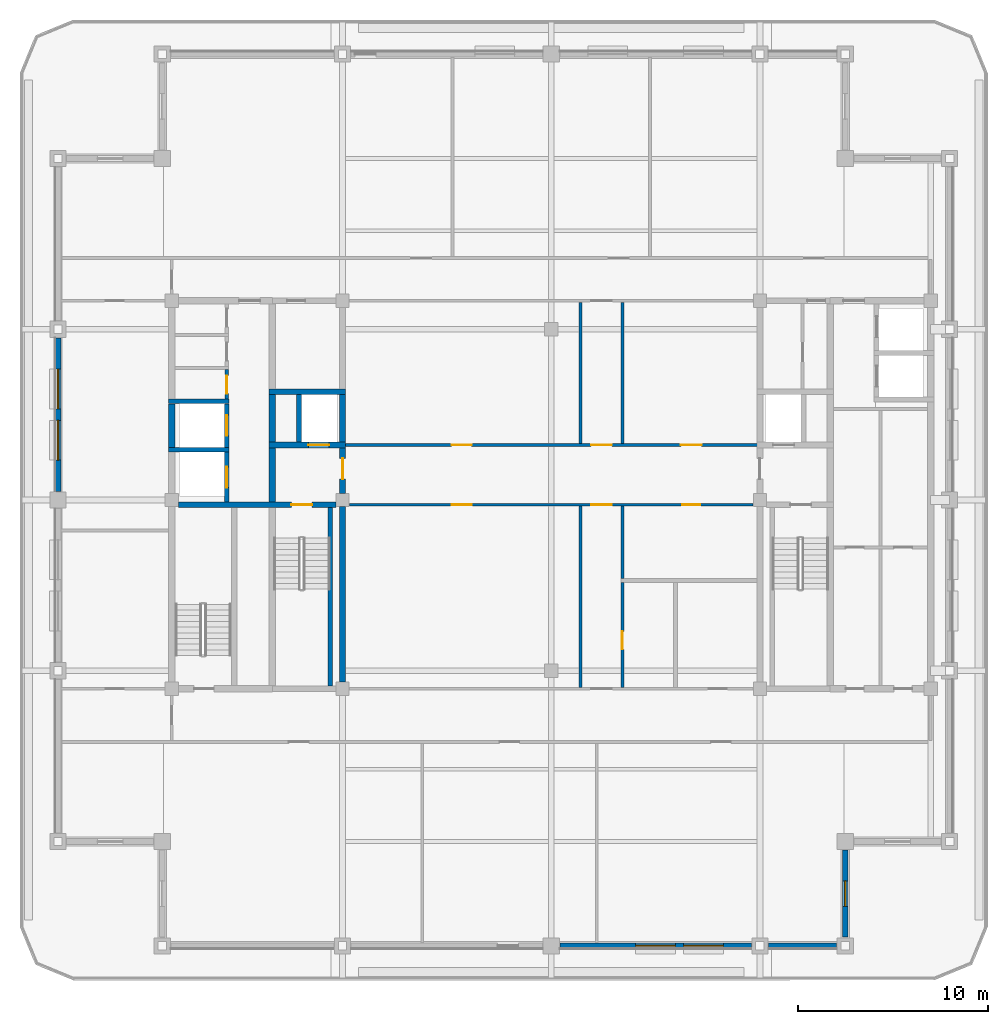
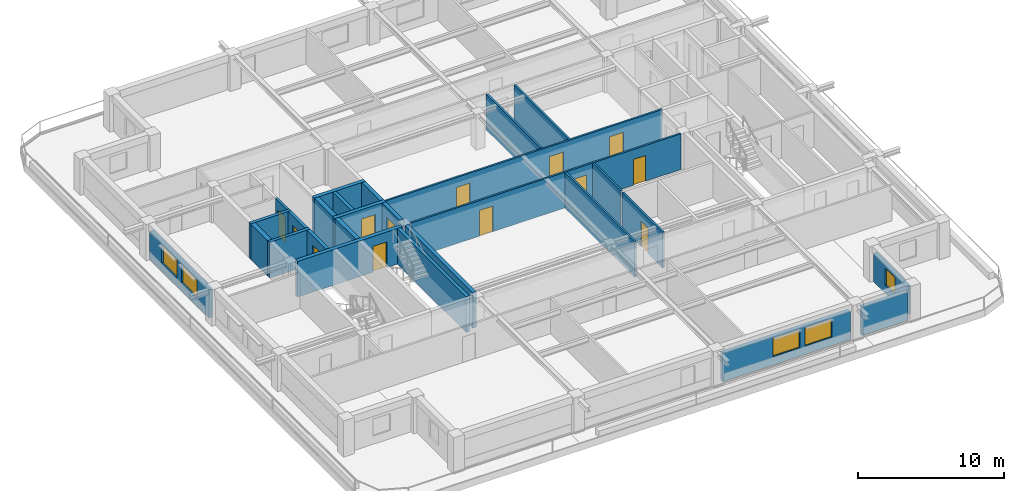
# One storey, part 3 of 11: 27 walls, 13 doors, 5 windows, 18 openings.
"""IFC4 building model written with IfcOpenShell, lengths in metres."""

from ifc_helpers import new_model, si_unit, direction, frame, frame_2d, origin, place, context, subcontext, project, spatial, rectangle, extrude, material, layer, layer_set, type_object, element, fill, save


model = new_model("IFC4")

# Units and contexts
model_context = context("Model", 3, precision=1e-05, world=origin(), true_north=direction((0.0, 1.0)))
body_context = subcontext(model_context, "Body", "Model", "MODEL_VIEW")
ifc_project = project(units=[si_unit("LENGTHUNIT", "METRE"), si_unit("AREAUNIT", "SQUARE_METRE"), si_unit("VOLUMEUNIT", "CUBIC_METRE"), si_unit("PLANEANGLEUNIT", "RADIAN"), si_unit("MASSUNIT", "GRAM", prefix="KILO")], contexts=[model_context])

# Site, building, storey
site_placement = place(None, origin())
site = spatial("IfcSite", under=ifc_project, at=site_placement, CompositionType="ELEMENT")
building_placement = place(site_placement, origin())
building = spatial("IfcBuilding", under=site, at=building_placement, Name="Zulmaris Gate Convention Tower", CompositionType="ELEMENT")
storey_placement = place(building_placement, frame((0.0, 0.0, 257.659912109375)))
storey = spatial("IfcBuildingStorey", under=building, at=storey_placement, Name="L68", CompositionType="ELEMENT", Elevation=257.659912109375)

# Walls
ifc_material_1 = material(Name="Concrete C50/60", Category="concrete")
ifc_layer_1 = layer(ifc_material_1, 0.25, Name="Concrete C50/60")
ifc_layer_set_1 = layer_set([ifc_layer_1], Name="Concrete C50/60")
wall_type_1 = type_object("IfcWallType", Name="CORE-250", PredefinedType="SOLIDWALL", material=ifc_layer_set_1)
for number, where, z_axis, x_axis, name in (
    (1, (-20.175048828125, 2.64990234375, 0.0), (0.0, 0.0, 1.0), (1.0, 0.0, 0.0), "WL-L68-007"),
    (2, (-20.175048828125, 5.199951171875, 0.0), (0.0, 0.0, 1.0), (1.0, 0.0, 0.0), "WL-L68-010"),
):
    element("IfcWall", number, at=place(storey_placement, frame(where, z_axis=z_axis, x_axis=x_axis)), inside=storey, type_object=wall_type_1, Name=name, PredefinedType="SOLIDWALL", context=body_context, shape_type="SweptSolid", body=[
        extrude(rectangle(XDim=3.199951171875, YDim=0.25, at=frame_2d((1.60009765625, 0.0))), origin(), (0.0, 0.0, 1.0), 2.97998046875),
    ])

# Wall, opening, door
wall_1_placement = place(storey_placement, frame((-17.10009765625, -0.097900390625, 0.0), z_axis=(0.0, 0.0, 1.0), x_axis=(0.0, 1.0, 0.0)))
wall_1 = element("IfcWall", 3, at=wall_1_placement, inside=storey, type_object=wall_type_1, Name="WL-L68-037", PredefinedType="SOLIDWALL", context=body_context, shape_type="SweptSolid", body=[
    extrude(rectangle(XDim=2.620849609375, YDim=0.25, at=frame_2d((1.310546875, 0.0))), origin(), (0.0, 0.0, 1.0), 2.97998046875),
])
opening_1_placement = place(wall_1_placement, frame((0.748046875, 0.0, 0.0)))
opening_1 = element("IfcOpeningElement", 4, at=opening_1_placement, cuts=wall_1, Name="Opening D-06", PredefinedType="OPENING", context=body_context, shape_type="SweptSolid", body=[
    extrude(rectangle(XDim=1.10009765625, YDim=2.199951171875, at=frame_2d((0.550048828125, 1.10009765625))), frame((0.0, 0.135009765625, 0.0), z_axis=(0.0, -1.0, 0.0), x_axis=(1.0, 0.0, 0.0)), (0.0, 0.0, 1.0), 0.27001953125),
])
ifc_material_2 = material(Name="Brushed Stainless Steel", Category="steel")
door_type_1 = type_object("IfcDoorType", Name="LD-1100", OperationType="NOTDEFINED", PredefinedType="DOOR", material=ifc_material_2)
door_1_placement = place(opening_1_placement, origin())
door_1 = element("IfcDoor", 5, at=door_1_placement, inside=storey, type_object=door_type_1, Name="L68 Lift Landing Door HP-03 11", OperationType="SLIDING_TO_LEFT", OverallHeight=2.199951171875, OverallWidth=1.10009765625, PredefinedType="DOOR", context=body_context, shape_type="SweptSolid", body=[
    extrude(rectangle(XDim=1.10009765625, YDim=2.199951171875, at=frame_2d((0.550048828125, 1.10009765625))), frame((0.0, 0.02490234375, 0.0), z_axis=(0.0, -1.0, 0.0), x_axis=(1.0, 0.0, 0.0)), (0.0, 0.0, 1.0), 0.050048828125),
])
fill(opening_1, door_1)

wall_2_placement = place(storey_placement, frame((-17.10009765625, 2.777099609375, 0.0), z_axis=(0.0, 0.0, 1.0), x_axis=(0.0, 1.0, 0.0)))
wall_2 = element("IfcWall", 6, at=wall_2_placement, inside=storey, type_object=wall_type_1, Name="WL-L68-038", PredefinedType="SOLIDWALL", context=body_context, shape_type="SweptSolid", body=[
    extrude(rectangle(XDim=2.2958984375, YDim=0.25, at=frame_2d((1.14794921875, 0.0))), origin(), (0.0, 0.0, 1.0), 2.97998046875),
])
opening_2_placement = place(wall_2_placement, frame((0.597900390625, 0.0, 0.0)))
opening_2 = element("IfcOpeningElement", 7, at=opening_2_placement, cuts=wall_2, Name="Opening D-06", PredefinedType="OPENING", context=body_context, shape_type="SweptSolid", body=[
    extrude(rectangle(XDim=1.10009765625, YDim=2.199951171875, at=frame_2d((0.550048828125, 1.10009765625))), frame((0.0, 0.135009765625, 0.0), z_axis=(0.0, -1.0, 0.0), x_axis=(1.0, 0.0, 0.0)), (0.0, 0.0, 1.0), 0.27001953125),
])
door_2_placement = place(opening_2_placement, origin())
door_2 = element("IfcDoor", 8, at=door_2_placement, inside=storey, type_object=door_type_1, Name="L68 Lift Landing Door HP-04 12", OperationType="SLIDING_TO_LEFT", OverallHeight=2.199951171875, OverallWidth=1.10009765625, PredefinedType="DOOR", context=body_context, shape_type="SweptSolid", body=[
    extrude(rectangle(XDim=1.10009765625, YDim=2.199951171875, at=frame_2d((0.550048828125, 1.10009765625))), frame((0.0, 0.02490234375, 0.0), z_axis=(0.0, -1.0, 0.0), x_axis=(1.0, 0.0, 0.0)), (0.0, 0.0, 1.0), 0.050048828125),
])
fill(opening_2, door_2)

# Walls
wall_3_placement = place(storey_placement, frame((-13.300048828125, 3.052001953125, 0.0), z_axis=(0.0, 0.0, 1.0), x_axis=(0.0, 1.0, 0.0)))
element("IfcWall", 9, at=wall_3_placement, inside=storey, type_object=wall_type_1, Name="WL-L68-044", PredefinedType="SOLIDWALL", context=body_context, shape_type="SweptSolid", body=[
    extrude(rectangle(XDim=2.49609375, YDim=0.25, at=frame_2d((1.248046875, 0.0))), origin(), (0.0, 0.0, 1.0), 2.97998046875),
])
wall_4_placement = place(storey_placement, frame((-11.64990234375, -9.798095703125, 0.0), z_axis=(0.0, 0.0, 1.0), x_axis=(0.0, 1.0, 0.0)))
element("IfcWall", 10, at=wall_4_placement, inside=storey, type_object=wall_type_1, Name="WL-L68-045", PredefinedType="SOLIDWALL", context=body_context, shape_type="SweptSolid", body=[
    extrude(rectangle(XDim=9.39599609375, YDim=0.25, at=frame_2d((4.697998046875, 0.0))), origin(), (0.0, 0.0, 1.0), 2.97998046875),
])

# Wall, opening, door
ifc_layer_2 = layer(ifc_material_1, 0.300048828125, Name="Concrete C50/60")
ifc_layer_set_2 = layer_set([ifc_layer_2], Name="Concrete C50/60")
wall_type_2 = type_object("IfcWallType", Name="CORE-300", PredefinedType="SHEAR", material=ifc_layer_set_2)
wall_5_placement = place(storey_placement, frame((-19.64599609375, -0.25, 0.0), z_axis=(0.0, 0.0, 1.0), x_axis=(1.0, 0.0, 0.0)))
wall_5 = element("IfcWall", 11, at=wall_5_placement, inside=storey, type_object=wall_type_2, Name="WL-L68-005", PredefinedType="SHEAR", context=body_context, shape_type="SweptSolid", body=[
    extrude(rectangle(XDim=8.2919921875, YDim=0.300048828125, at=frame_2d((4.14599609375, 0.0))), origin(), (0.0, 0.0, 1.0), 2.97998046875),
])
opening_3_placement = place(wall_5_placement, frame((5.946044921875, 0.0, 0.0)))
opening_3 = element("IfcOpeningElement", 12, at=opening_3_placement, cuts=wall_5, Name="Opening D-08", PredefinedType="OPENING", context=body_context, shape_type="SweptSolid", body=[
    extrude(rectangle(XDim=1.10009765625, YDim=2.14990234375, at=frame_2d((0.550048828125, 1.074951171875))), frame((0.0, 0.16015625, 0.0), z_axis=(0.0, -1.0, 0.0), x_axis=(1.0, 0.0, 0.0)), (0.0, 0.0, 1.0), 0.320068359375),
])
ifc_material_3 = material(Name="Fire-Rated Steel", Category="steel")
door_type_2 = type_object("IfcDoorType", Name="DR-1100-FD", OperationType="NOTDEFINED", PredefinedType="DOOR", material=ifc_material_3)
door_3_placement = place(opening_3_placement, origin())
door_3 = element("IfcDoor", 13, at=door_3_placement, inside=storey, type_object=door_type_2, Name="L68 Exit Stair ST-1 Door 01", OperationType="SINGLE_SWING_LEFT", OverallHeight=2.14990234375, OverallWidth=1.10009765625, PredefinedType="DOOR", context=body_context, shape_type="SweptSolid", body=[
    extrude(rectangle(XDim=1.10009765625, YDim=2.14990234375, at=frame_2d((0.550048828125, 1.074951171875))), frame((0.0, 0.02490234375, 0.0), z_axis=(0.0, -1.0, 0.0), x_axis=(1.0, 0.0, 0.0)), (0.0, 0.0, 1.0), 0.050048828125),
])
fill(opening_3, door_3)

wall_6_placement = place(storey_placement, frame((-14.875, 2.89990234375, 0.0), z_axis=(0.0, 0.0, 1.0), x_axis=(1.0, 0.0, 0.0)))
wall_6 = element("IfcWall", 14, at=wall_6_placement, inside=storey, type_object=wall_type_2, Name="WL-L68-008", PredefinedType="SHEAR", context=body_context, shape_type="SweptSolid", body=[
    extrude(rectangle(XDim=4.02490234375, YDim=0.300048828125, at=frame_2d((2.012451171875, 0.0))), origin(), (0.0, 0.0, 1.0), 2.97998046875),
])
opening_4_placement = place(wall_6_placement, frame((2.074951171875, 0.0, 0.0)))
opening_4 = element("IfcOpeningElement", 15, at=opening_4_placement, cuts=wall_6, Name="Opening D-06", PredefinedType="OPENING", context=body_context, shape_type="SweptSolid", body=[
    extrude(rectangle(XDim=1.10009765625, YDim=2.199951171875, at=frame_2d((0.550048828125, 1.10009765625))), frame((0.0, 0.16015625, 0.0), z_axis=(0.0, -1.0, 0.0), x_axis=(1.0, 0.0, 0.0)), (0.0, 0.0, 1.0), 0.320068359375),
])
door_4_placement = place(opening_4_placement, origin())
door_4 = element("IfcDoor", 16, at=door_4_placement, inside=storey, type_object=door_type_1, Name="L68 Lift Landing Door LF-01 03", OperationType="SLIDING_TO_LEFT", OverallHeight=2.199951171875, OverallWidth=1.10009765625, PredefinedType="DOOR", context=body_context, shape_type="SweptSolid", body=[
    extrude(rectangle(XDim=1.10009765625, YDim=2.199951171875, at=frame_2d((0.550048828125, 1.10009765625))), frame((0.0, 0.02490234375, 0.0), z_axis=(0.0, -1.0, 0.0), x_axis=(1.0, 0.0, 0.0)), (0.0, 0.0, 1.0), 0.050048828125),
])
fill(opening_4, door_4)

# Walls
wall_7_placement = place(storey_placement, frame((-14.875, 5.699951171875, 0.0), z_axis=(0.0, 0.0, 1.0), x_axis=(1.0, 0.0, 0.0)))
element("IfcWall", 17, at=wall_7_placement, inside=storey, type_object=wall_type_2, Name="WL-L68-012", PredefinedType="SHEAR", context=body_context, shape_type="SweptSolid", body=[
    extrude(rectangle(XDim=4.02490234375, YDim=0.300048828125, at=frame_2d((2.012451171875, 0.0))), origin(), (0.0, 0.0, 1.0), 2.97998046875),
])
wall_8_placement = place(storey_placement, frame((-11.0, -9.595947265625, 0.0), z_axis=(0.0, 0.0, 1.0), x_axis=(0.0, 1.0, 0.0)))
element("IfcWall", 18, at=wall_8_placement, inside=storey, type_object=wall_type_2, Name="WL-L68-046", PredefinedType="SHEAR", context=body_context, shape_type="SweptSolid", body=[
    extrude(rectangle(XDim=9.241943359375, YDim=0.300048828125, at=frame_2d((4.62109375, 0.0))), origin(), (0.0, 0.0, 1.0), 2.97998046875),
])

# Wall, opening, door
wall_9_placement = place(storey_placement, frame((-11.0, 0.35400390625, 0.0), z_axis=(0.0, 0.0, 1.0), x_axis=(0.0, 1.0, 0.0)))
wall_9 = element("IfcWall", 19, at=wall_9_placement, inside=storey, type_object=wall_type_2, Name="WL-L68-047", PredefinedType="SHEAR", context=body_context, shape_type="SweptSolid", body=[
    extrude(rectangle(XDim=2.39404296875, YDim=0.300048828125, at=frame_2d((1.197021484375, 0.0))), origin(), (0.0, 0.0, 1.0), 2.97998046875),
])
opening_5_placement = place(wall_9_placement, frame((0.74609375, 0.0, 0.0)))
opening_5 = element("IfcOpeningElement", 20, at=opening_5_placement, cuts=wall_9, Name="Opening D-08", PredefinedType="OPENING", context=body_context, shape_type="SweptSolid", body=[
    extrude(rectangle(XDim=1.10009765625, YDim=2.14990234375, at=frame_2d((0.550048828125, 1.074951171875))), frame((0.0, 0.16015625, 0.0), z_axis=(0.0, -1.0, 0.0), x_axis=(1.0, 0.0, 0.0)), (0.0, 0.0, 1.0), 0.320068359375),
])
door_5_placement = place(opening_5_placement, origin())
door_5 = element("IfcDoor", 21, at=door_5_placement, inside=storey, type_object=door_type_2, Name="L68 West Firefighting Lobby Door 02", OperationType="SINGLE_SWING_RIGHT", OverallHeight=2.14990234375, OverallWidth=1.10009765625, PredefinedType="DOOR", context=body_context, shape_type="SweptSolid", body=[
    extrude(rectangle(XDim=1.10009765625, YDim=2.14990234375, at=frame_2d((0.550048828125, 1.074951171875))), frame((0.0, 0.02490234375, 0.0), z_axis=(0.0, -1.0, 0.0), x_axis=(1.0, 0.0, 0.0)), (0.0, 0.0, 1.0), 0.050048828125),
])
fill(opening_5, door_5)

# Walls
wall_10_placement = place(storey_placement, frame((-11.0, 3.052001953125, 0.0), z_axis=(0.0, 0.0, 1.0), x_axis=(0.0, 1.0, 0.0)))
element("IfcWall", 22, at=wall_10_placement, inside=storey, type_object=wall_type_2, Name="WL-L68-048", PredefinedType="SHEAR", context=body_context, shape_type="SweptSolid", body=[
    extrude(rectangle(XDim=2.49609375, YDim=0.300048828125, at=frame_2d((1.248046875, 0.0))), origin(), (0.0, 0.0, 1.0), 2.97998046875),
])
ifc_material_4 = material(Name="Concrete C55/67", Category="concrete")
ifc_layer_3 = layer(ifc_material_4, 0.35009765625, Name="Concrete C55/67")
ifc_layer_set_3 = layer_set([ifc_layer_3], Name="Concrete C55/67")
wall_type_3 = type_object("IfcWallType", Name="CORE-350", PredefinedType="SHEAR", material=ifc_layer_set_3)
wall_11_placement = place(storey_placement, frame((-20.0, 2.777099609375, 0.0), z_axis=(0.0, 0.0, 1.0), x_axis=(0.0, 1.0, 0.0)))
element("IfcWall", 23, at=wall_11_placement, inside=storey, type_object=wall_type_3, Name="WL-L68-035", PredefinedType="SHEAR", context=body_context, shape_type="SweptSolid", body=[
    extrude(rectangle(XDim=2.2958984375, YDim=0.35009765625, at=frame_2d((1.14794921875, 0.0))), origin(), (0.0, 0.0, 1.0), 2.97998046875),
])
wall_12_placement = place(storey_placement, frame((-14.699951171875, -0.097900390625, 0.0), z_axis=(0.0, 0.0, 1.0), x_axis=(0.0, 1.0, 0.0)))
element("IfcWall", 24, at=wall_12_placement, inside=storey, type_object=wall_type_3, Name="WL-L68-041", PredefinedType="SHEAR", context=body_context, shape_type="SweptSolid", body=[
    extrude(rectangle(XDim=2.845947265625, YDim=0.35009765625, at=frame_2d((1.4228515625, 0.0))), origin(), (0.0, 0.0, 1.0), 2.97998046875),
])
wall_13_placement = place(storey_placement, frame((-14.699951171875, 3.052001953125, 0.0), z_axis=(0.0, 0.0, 1.0), x_axis=(0.0, 1.0, 0.0)))
element("IfcWall", 25, at=wall_13_placement, inside=storey, type_object=wall_type_3, Name="WL-L68-042", PredefinedType="SHEAR", context=body_context, shape_type="SweptSolid", body=[
    extrude(rectangle(XDim=2.49609375, YDim=0.35009765625, at=frame_2d((1.248046875, 0.0))), origin(), (0.0, 0.0, 1.0), 2.97998046875),
])

# Wall, openings, doors
ifc_material_5 = material(Name="Gypsum Metal Stud Partition")
ifc_layer_4 = layer(ifc_material_5, 0.14990234375, Name="Gypsum Metal Stud Partition")
ifc_layer_set_4 = layer_set([ifc_layer_4], Name="Gypsum Metal Stud Partition")
wall_type_4 = type_object("IfcWallType", Name="PART-150", PredefinedType="PARTITIONING", material=ifc_layer_set_4)
wall_14_placement = place(storey_placement, frame((-10.64404296875, -0.25, 0.0), z_axis=(0.0, 0.0, 1.0), x_axis=(1.0, 0.0, 0.0)))
wall_14 = element("IfcWall", 26, at=wall_14_placement, inside=storey, type_object=wall_type_4, Name="WL-L68-025", PredefinedType="PARTITIONING", context=body_context, shape_type="SweptSolid", body=[
    extrude(rectangle(XDim=21.2880859375, YDim=0.14990234375, at=frame_2d((10.64404296875, 0.0))), origin(), (0.0, 0.0, 1.0), 2.97998046875),
])
opening_6_placement = place(wall_14_placement, frame((12.743896484375, 0.0, 0.0)))
opening_6 = element("IfcOpeningElement", 27, at=opening_6_placement, cuts=wall_14, Name="Opening D-08", PredefinedType="OPENING", context=body_context, shape_type="SweptSolid", body=[
    extrude(rectangle(XDim=1.10009765625, YDim=2.14990234375, at=frame_2d((0.550048828125, 1.074951171875))), frame((0.0, 0.0849609375, 0.0), z_axis=(0.0, -1.0, 0.0), x_axis=(1.0, 0.0, 0.0)), (0.0, 0.0, 1.0), 0.169921875),
])
opening_7_placement = place(wall_14_placement, frame((5.39892578125, 0.0, 0.0)))
opening_7 = element("IfcOpeningElement", 28, at=opening_7_placement, cuts=wall_14, Name="Opening D-09", PredefinedType="OPENING", context=body_context, shape_type="SweptSolid", body=[
    extrude(rectangle(XDim=1.050048828125, YDim=2.14990234375, at=frame_2d((0.52490234375, 1.074951171875))), frame((0.0, 0.0849609375, 0.0), z_axis=(0.0, -1.0, 0.0), x_axis=(1.0, 0.0, 0.0)), (0.0, 0.0, 1.0), 0.169921875),
])
opening_8_placement = place(wall_14_placement, frame((17.549072265625, 0.0, 0.0)))
opening_8 = element("IfcOpeningElement", 29, at=opening_8_placement, cuts=wall_14, Name="Opening D-11", PredefinedType="OPENING", context=body_context, shape_type="SweptSolid", body=[
    extrude(rectangle(XDim=0.949951171875, YDim=2.14990234375, at=frame_2d((0.47509765625, 1.074951171875))), frame((0.0, 0.0849609375, 0.0), z_axis=(0.0, -1.0, 0.0), x_axis=(1.0, 0.0, 0.0)), (0.0, 0.0, 1.0), 0.169921875),
])
door_type_3 = type_object("IfcDoorType", Name="DR-1050-FD", OperationType="NOTDEFINED", PredefinedType="DOOR", material=ifc_material_3)
door_6_placement = place(opening_7_placement, origin())
door_6 = element("IfcDoor", 30, at=door_6_placement, inside=storey, type_object=door_type_3, Name="L68 Sky Library Door 36", OperationType="SINGLE_SWING_RIGHT", OverallHeight=2.14990234375, OverallWidth=1.050048828125, PredefinedType="DOOR", context=body_context, shape_type="SweptSolid", body=[
    extrude(rectangle(XDim=1.050048828125, YDim=2.14990234375, at=frame_2d((0.52490234375, 1.074951171875))), frame((0.0, 0.02490234375, 0.0), z_axis=(0.0, -1.0, 0.0), x_axis=(1.0, 0.0, 0.0)), (0.0, 0.0, 1.0), 0.050048828125),
])
fill(opening_7, door_6)
door_7_placement = place(opening_6_placement, origin())
door_7 = element("IfcDoor", 31, at=door_7_placement, inside=storey, type_object=door_type_2, Name="L68 Exec Cross South Door 27", OperationType="SINGLE_SWING_LEFT", OverallHeight=2.14990234375, OverallWidth=1.10009765625, PredefinedType="DOOR", context=body_context, shape_type="SweptSolid", body=[
    extrude(rectangle(XDim=1.10009765625, YDim=2.14990234375, at=frame_2d((0.550048828125, 1.074951171875))), frame((0.0, 0.02490234375, 0.0), z_axis=(0.0, -1.0, 0.0), x_axis=(1.0, 0.0, 0.0)), (0.0, 0.0, 1.0), 0.050048828125),
])
fill(opening_6, door_7)
ifc_material_6 = material(Name="Fire-Rated Timber", Category="wood")
door_type_4 = type_object("IfcDoorType", Name="DR-950-FD", OperationType="NOTDEFINED", PredefinedType="DOOR", material=ifc_material_6)
door_8_placement = place(opening_8_placement, origin())
door_8 = element("IfcDoor", 32, at=door_8_placement, inside=storey, type_object=door_type_4, Name="L68 Public WC Door 37", OperationType="SINGLE_SWING_LEFT", OverallHeight=2.14990234375, OverallWidth=0.949951171875, PredefinedType="DOOR", context=body_context, shape_type="SweptSolid", body=[
    extrude(rectangle(XDim=0.949951171875, YDim=2.14990234375, at=frame_2d((0.47509765625, 1.074951171875))), frame((0.0, 0.02490234375, 0.0), z_axis=(0.0, -1.0, 0.0), x_axis=(1.0, 0.0, 0.0)), (0.0, 0.0, 1.0), 0.050048828125),
])
fill(opening_8, door_8)

wall_15_placement = place(storey_placement, frame((-11.0, 2.89990234375, 0.0), z_axis=(0.0, 0.0, 1.0), x_axis=(1.0, 0.0, 0.0)))
wall_15 = element("IfcWall", 33, at=wall_15_placement, inside=storey, type_object=wall_type_4, Name="WL-L68-026", PredefinedType="PARTITIONING", context=body_context, shape_type="SweptSolid", body=[
    extrude(rectangle(XDim=22.0, YDim=0.14990234375, at=frame_2d((11.0, 0.0))), origin(), (0.0, 0.0, 1.0), 2.97998046875),
])
opening_9_placement = place(wall_15_placement, frame((13.10009765625, 0.0, 0.0)))
opening_9 = element("IfcOpeningElement", 34, at=opening_9_placement, cuts=wall_15, Name="Opening D-08", PredefinedType="OPENING", context=body_context, shape_type="SweptSolid", body=[
    extrude(rectangle(XDim=1.10009765625, YDim=2.14990234375, at=frame_2d((0.550048828125, 1.074951171875))), frame((0.0, 0.0849609375, 0.0), z_axis=(0.0, -1.0, 0.0), x_axis=(1.0, 0.0, 0.0)), (0.0, 0.0, 1.0), 0.169921875),
])
opening_10_placement = place(wall_15_placement, frame((5.7548828125, 0.0, 0.0)))
opening_10 = element("IfcOpeningElement", 35, at=opening_10_placement, cuts=wall_15, Name="Opening D-09", PredefinedType="OPENING", context=body_context, shape_type="SweptSolid", body=[
    extrude(rectangle(XDim=1.050048828125, YDim=2.14990234375, at=frame_2d((0.52490234375, 1.074951171875))), frame((0.0, 0.0849609375, 0.0), z_axis=(0.0, -1.0, 0.0), x_axis=(1.0, 0.0, 0.0)), (0.0, 0.0, 1.0), 0.169921875),
])
opening_11_placement = place(wall_15_placement, frame((17.830078125, 0.0, 0.0)))
opening_11 = element("IfcOpeningElement", 36, at=opening_11_placement, cuts=wall_15, Name="Opening D-08", PredefinedType="OPENING", context=body_context, shape_type="SweptSolid", body=[
    extrude(rectangle(XDim=1.10009765625, YDim=2.14990234375, at=frame_2d((0.550048828125, 1.074951171875))), frame((0.0, 0.0849609375, 0.0), z_axis=(0.0, -1.0, 0.0), x_axis=(1.0, 0.0, 0.0)), (0.0, 0.0, 1.0), 0.169921875),
])
door_9_placement = place(opening_10_placement, origin())
door_9 = element("IfcDoor", 37, at=door_9_placement, inside=storey, type_object=door_type_3, Name="L68 Reception Door 34", OperationType="SINGLE_SWING_RIGHT", OverallHeight=2.14990234375, OverallWidth=1.050048828125, PredefinedType="DOOR", context=body_context, shape_type="SweptSolid", body=[
    extrude(rectangle(XDim=1.050048828125, YDim=2.14990234375, at=frame_2d((0.52490234375, 1.074951171875))), frame((0.0, 0.02490234375, 0.0), z_axis=(0.0, -1.0, 0.0), x_axis=(1.0, 0.0, 0.0)), (0.0, 0.0, 1.0), 0.050048828125),
])
fill(opening_10, door_9)
door_10_placement = place(opening_9_placement, origin())
door_10 = element("IfcDoor", 38, at=door_10_placement, inside=storey, type_object=door_type_2, Name="L68 Exec Cross North Door 26", OperationType="SINGLE_SWING_RIGHT", OverallHeight=2.14990234375, OverallWidth=1.10009765625, PredefinedType="DOOR", context=body_context, shape_type="SweptSolid", body=[
    extrude(rectangle(XDim=1.10009765625, YDim=2.14990234375, at=frame_2d((0.550048828125, 1.074951171875))), frame((0.0, 0.02490234375, 0.0), z_axis=(0.0, -1.0, 0.0), x_axis=(1.0, 0.0, 0.0)), (0.0, 0.0, 1.0), 0.050048828125),
])
fill(opening_9, door_10)
door_11_placement = place(opening_11_placement, origin())
door_11 = element("IfcDoor", 39, at=door_11_placement, inside=storey, type_object=door_type_2, Name="L68 Townhall Forum Door 35", OperationType="SINGLE_SWING_LEFT", OverallHeight=2.14990234375, OverallWidth=1.10009765625, PredefinedType="DOOR", context=body_context, shape_type="SweptSolid", body=[
    extrude(rectangle(XDim=1.10009765625, YDim=2.14990234375, at=frame_2d((0.550048828125, 1.074951171875))), frame((0.0, 0.02490234375, 0.0), z_axis=(0.0, -1.0, 0.0), x_axis=(1.0, 0.0, 0.0)), (0.0, 0.0, 1.0), 0.050048828125),
])
fill(opening_11, door_11)

# Walls
wall_16_placement = place(storey_placement, frame((1.550048828125, -9.8720703125, 0.0), z_axis=(0.0, 0.0, 1.0), x_axis=(0.0, 1.0, 0.0)))
element("IfcWall", 40, at=wall_16_placement, inside=storey, type_object=wall_type_4, Name="WL-L68-072", PredefinedType="PARTITIONING", context=body_context, shape_type="SweptSolid", body=[
    extrude(rectangle(XDim=9.544189453125, YDim=0.14990234375, at=frame_2d((4.77197265625, 0.0))), origin(), (0.0, 0.0, 1.0), 2.97998046875),
])
wall_17_placement = place(storey_placement, frame((1.550048828125, 2.97802734375, 0.0), z_axis=(0.0, 0.0, 1.0), x_axis=(0.0, 1.0, 0.0)))
element("IfcWall", 41, at=wall_17_placement, inside=storey, type_object=wall_type_4, Name="WL-L68-073", PredefinedType="PARTITIONING", context=body_context, shape_type="SweptSolid", body=[
    extrude(rectangle(XDim=7.444091796875, YDim=0.14990234375, at=frame_2d((3.72216796875, 0.0))), origin(), (0.0, 0.0, 1.0), 2.97998046875),
])

# Wall, opening, door
wall_18_placement = place(storey_placement, frame((3.75, -9.8720703125, 0.0), z_axis=(0.0, 0.0, 1.0), x_axis=(0.0, 1.0, 0.0)))
wall_18 = element("IfcWall", 42, at=wall_18_placement, inside=storey, type_object=wall_type_4, Name="WL-L68-075", PredefinedType="PARTITIONING", context=body_context, shape_type="SweptSolid", body=[
    extrude(rectangle(XDim=5.51904296875, YDim=0.14990234375, at=frame_2d((2.759521484375, 0.0))), origin(), (0.0, 0.0, 1.0), 2.97998046875),
])
opening_12_placement = place(wall_18_placement, frame((1.9970703125, 0.0, 0.0)))
opening_12 = element("IfcOpeningElement", 43, at=opening_12_placement, cuts=wall_18, Name="Opening D-11", PredefinedType="OPENING", context=body_context, shape_type="SweptSolid", body=[
    extrude(rectangle(XDim=0.949951171875, YDim=2.14990234375, at=frame_2d((0.47509765625, 1.074951171875))), frame((0.0, 0.0849609375, 0.0), z_axis=(0.0, -1.0, 0.0), x_axis=(1.0, 0.0, 0.0)), (0.0, 0.0, 1.0), 0.169921875),
])
door_12_placement = place(opening_12_placement, origin())
door_12 = element("IfcDoor", 44, at=door_12_placement, inside=storey, type_object=door_type_4, Name="L68 Accessible WC Door 38", OperationType="SINGLE_SWING_RIGHT", OverallHeight=2.14990234375, OverallWidth=0.949951171875, PredefinedType="DOOR", context=body_context, shape_type="SweptSolid", body=[
    extrude(rectangle(XDim=0.949951171875, YDim=2.14990234375, at=frame_2d((0.47509765625, 1.074951171875))), frame((0.0, 0.02490234375, 0.0), z_axis=(0.0, -1.0, 0.0), x_axis=(1.0, 0.0, 0.0)), (0.0, 0.0, 1.0), 0.050048828125),
])
fill(opening_12, door_12)

# Walls
wall_19_placement = place(storey_placement, frame((3.75, -4.14697265625, 0.0), z_axis=(0.0, 0.0, 1.0), x_axis=(0.0, 1.0, 0.0)))
element("IfcWall", 45, at=wall_19_placement, inside=storey, type_object=wall_type_4, Name="WL-L68-076", PredefinedType="PARTITIONING", context=body_context, shape_type="SweptSolid", body=[
    extrude(rectangle(XDim=3.819091796875, YDim=0.14990234375, at=frame_2d((1.90966796875, 0.0))), origin(), (0.0, 0.0, 1.0), 2.97998046875),
])
wall_20_placement = place(storey_placement, frame((3.75, 2.97802734375, 0.0), z_axis=(0.0, 0.0, 1.0), x_axis=(0.0, 1.0, 0.0)))
element("IfcWall", 46, at=wall_20_placement, inside=storey, type_object=wall_type_4, Name="WL-L68-077", PredefinedType="PARTITIONING", context=body_context, shape_type="SweptSolid", body=[
    extrude(rectangle(XDim=7.444091796875, YDim=0.14990234375, at=frame_2d((3.72216796875, 0.0))), origin(), (0.0, 0.0, 1.0), 2.97998046875),
])

# Wall, opening, door
ifc_material_7 = material(Name="Autoclaved Aerated Concrete Block and Plasterboard", Category="concrete")
ifc_layer_5 = layer(ifc_material_7, 0.199951171875, Name="Autoclaved Aerated Concrete Block and Plasterboard")
ifc_layer_set_5 = layer_set([ifc_layer_5], Name="Autoclaved Aerated Concrete Block and Plasterboard")
wall_type_5 = type_object("IfcWallType", Name="PART-200", PredefinedType="PARTITIONING", material=ifc_layer_set_5)
wall_21_placement = place(storey_placement, frame((-17.10009765625, 5.327880859375, 0.0), z_axis=(0.0, 0.0, 1.0), x_axis=(0.0, 1.0, 0.0)))
wall_21 = element("IfcWall", 47, at=wall_21_placement, inside=storey, type_object=wall_type_5, Name="WL-L68-067", PredefinedType="PARTITIONING", context=body_context, shape_type="SweptSolid", body=[
    extrude(rectangle(XDim=1.544189453125, YDim=0.199951171875, at=frame_2d((0.77197265625, 0.0))), origin(), (0.0, 0.0, 1.0), 2.97998046875),
])
opening_13_placement = place(wall_21_placement, frame((0.277099609375, 0.0, 0.0)))
opening_13 = element("IfcOpeningElement", 48, at=opening_13_placement, cuts=wall_21, Name="Opening D-11", PredefinedType="OPENING", context=body_context, shape_type="SweptSolid", body=[
    extrude(rectangle(XDim=0.949951171875, YDim=2.14990234375, at=frame_2d((0.47509765625, 1.074951171875))), frame((0.0, 0.10986328125, 0.0), z_axis=(0.0, -1.0, 0.0), x_axis=(1.0, 0.0, 0.0)), (0.0, 0.0, 1.0), 0.219970703125),
])
door_13_placement = place(opening_13_placement, origin())
door_13 = element("IfcDoor", 49, at=door_13_placement, inside=storey, type_object=door_type_4, Name="L68 Linen Closet Door 16", OperationType="SINGLE_SWING_RIGHT", OverallHeight=2.14990234375, OverallWidth=0.949951171875, PredefinedType="DOOR", context=body_context, shape_type="SweptSolid", body=[
    extrude(rectangle(XDim=0.949951171875, YDim=2.14990234375, at=frame_2d((0.47509765625, 1.074951171875))), frame((0.0, 0.02490234375, 0.0), z_axis=(0.0, -1.0, 0.0), x_axis=(1.0, 0.0, 0.0)), (0.0, 0.0, 1.0), 0.050048828125),
])
fill(opening_13, door_13)

# Wall, opening, window
ifc_material_8 = material(Name="Precast concrete C40/50", Category="concrete")
ifc_layer_6 = layer(ifc_material_8, 0.300048828125, Name="Precast concrete C40/50")
ifc_layer_set_6 = layer_set([ifc_layer_6], Name="Precast concrete C40/50")
wall_type_6 = type_object("IfcWallType", Name="PRECAST-PIER-300", PredefinedType="STANDARD", material=ifc_layer_set_6)
wall_22_placement = place(storey_placement, frame((15.5, -23.044921875, 0.0), z_axis=(0.0, 0.0, 1.0), x_axis=(0.0, 1.0, 0.0)))
wall_22 = element("IfcWall", 50, at=wall_22_placement, inside=storey, type_object=wall_type_6, Name="EW-L68-NOTCH-SE1_0", PredefinedType="STANDARD", context=body_context, shape_type="SweptSolid", body=[
    extrude(rectangle(XDim=4.58984375, YDim=0.300048828125, at=frame_2d((2.294921875, 0.0))), origin(), (0.0, 0.0, 1.0), 2.3720703125),
])
opening_14_placement = place(wall_22_placement, frame((1.6201171875, 0.0, 0.679931640625)))
opening_14 = element("IfcOpeningElement", 51, at=opening_14_placement, cuts=wall_22, Name="Opening W-10", PredefinedType="OPENING", context=body_context, shape_type="SweptSolid", body=[
    extrude(rectangle(XDim=1.35009765625, YDim=1.419921875, at=frame_2d((0.675048828125, 0.7099609375))), frame((0.0, 0.16015625, 0.0), z_axis=(0.0, -1.0, 0.0), x_axis=(1.0, 0.0, 0.0)), (0.0, 0.0, 1.0), 0.320068359375),
])
ifc_material_9 = material(Name="Low-E Laminated Double Glazing in Aluminium Frame", Category="aluminium")
window_type_1 = type_object("IfcWindowType", Name="WIN-1350x2000", PartitioningType="SINGLE_PANEL", PredefinedType="WINDOW", material=ifc_material_9)
window_1_placement = place(opening_14_placement, origin())
window_1 = element("IfcWindow", 52, at=window_1_placement, inside=storey, type_object=window_type_1, Name="WN-EW-L68-NOTCH-SE1_0", OverallHeight=1.419921875, OverallWidth=1.35009765625, PartitioningType="SINGLE_PANEL", PredefinedType="WINDOW", context=body_context, shape_type="SweptSolid", body=[
    extrude(rectangle(XDim=1.35009765625, YDim=1.419921875, at=frame_2d((0.675048828125, 0.7099609375))), frame((0.0, 0.030029296875, 0.0), z_axis=(0.0, -1.0, 0.0), x_axis=(1.0, 0.0, 0.0)), (0.0, 0.0, 1.0), 0.06005859375),
])
fill(opening_14, window_1)

# Wall, openings, windows
wall_23_placement = place(storey_placement, frame((0.455078125, -23.5, 0.0), z_axis=(0.0, 0.0, 1.0), x_axis=(1.0, 0.0, 0.0)))
wall_23 = element("IfcWall", 53, at=wall_23_placement, inside=storey, type_object=wall_type_6, Name="EW-L68-S-2_0", PredefinedType="STANDARD", context=body_context, shape_type="SweptSolid", body=[
    extrude(rectangle(XDim=10.08984375, YDim=0.300048828125, at=frame_2d((5.044921875, 0.0))), origin(), (0.0, 0.0, 1.0), 2.3720703125),
])
opening_15_placement = place(wall_23_placement, frame((3.9951171875, 0.0, 0.699951171875)))
opening_15 = element("IfcOpeningElement", 54, at=opening_15_placement, cuts=wall_23, Name="Opening W-05", PredefinedType="OPENING", context=body_context, shape_type="SweptSolid", body=[
    extrude(rectangle(XDim=2.10009765625, YDim=1.5, at=frame_2d((1.050048828125, 0.75))), frame((0.0, 0.16015625, 0.0), z_axis=(0.0, -1.0, 0.0), x_axis=(1.0, 0.0, 0.0)), (0.0, 0.0, 1.0), 0.320068359375),
])
opening_16_placement = place(wall_23_placement, frame((6.51806640625, 0.0, 0.699951171875)))
opening_16 = element("IfcOpeningElement", 55, at=opening_16_placement, cuts=wall_23, Name="Opening W-05", PredefinedType="OPENING", context=body_context, shape_type="SweptSolid", body=[
    extrude(rectangle(XDim=2.10009765625, YDim=1.5, at=frame_2d((1.050048828125, 0.75))), frame((0.0, 0.16015625, 0.0), z_axis=(0.0, -1.0, 0.0), x_axis=(1.0, 0.0, 0.0)), (0.0, 0.0, 1.0), 0.320068359375),
])
window_type_2 = type_object("IfcWindowType", Name="WIN-2100x2400", PartitioningType="SINGLE_PANEL", PredefinedType="WINDOW", material=ifc_material_9)
window_2_placement = place(opening_15_placement, origin())
window_2 = element("IfcWindow", 56, at=window_2_placement, inside=storey, type_object=window_type_2, Name="WN-EW-L68-S-2_0-2", OverallHeight=1.5, OverallWidth=2.10009765625, PartitioningType="SINGLE_PANEL", PredefinedType="WINDOW", context=body_context, shape_type="SweptSolid", body=[
    extrude(rectangle(XDim=2.10009765625, YDim=1.5, at=frame_2d((1.050048828125, 0.75))), frame((0.0, 0.030029296875, 0.0), z_axis=(0.0, -1.0, 0.0), x_axis=(1.0, 0.0, 0.0)), (0.0, 0.0, 1.0), 0.06005859375),
])
fill(opening_15, window_2)
window_3_placement = place(opening_16_placement, origin())
window_3 = element("IfcWindow", 57, at=window_3_placement, inside=storey, type_object=window_type_2, Name="WN-EW-L68-S-2_0-3", OverallHeight=1.5, OverallWidth=2.10009765625, PartitioningType="SINGLE_PANEL", PredefinedType="WINDOW", context=body_context, shape_type="SweptSolid", body=[
    extrude(rectangle(XDim=2.10009765625, YDim=1.5, at=frame_2d((1.050048828125, 0.75))), frame((0.0, 0.030029296875, 0.0), z_axis=(0.0, -1.0, 0.0), x_axis=(1.0, 0.0, 0.0)), (0.0, 0.0, 1.0), 0.06005859375),
])
fill(opening_16, window_3)

# Wall
wall_24_placement = place(storey_placement, frame((11.455078125, -23.5, 0.0), z_axis=(0.0, 0.0, 1.0), x_axis=(1.0, 0.0, 0.0)))
element("IfcWall", 58, at=wall_24_placement, inside=storey, type_object=wall_type_6, Name="EW-L68-S-3_0", PredefinedType="STANDARD", context=body_context, shape_type="SweptSolid", body=[
    extrude(rectangle(XDim=3.58984375, YDim=0.300048828125, at=frame_2d((1.794921875, 0.0))), origin(), (0.0, 0.0, 1.0), 2.3720703125),
])

# Wall, openings, windows
wall_25_placement = place(storey_placement, frame((-26.0, 8.544921875, 0.0), z_axis=(0.0, 0.0, 1.0), x_axis=(0.0, -1.0, 0.0)))
wall_25 = element("IfcWall", 59, at=wall_25_placement, inside=storey, type_object=wall_type_6, Name="EW-L68-W-2_0", PredefinedType="STANDARD", context=body_context, shape_type="SweptSolid", body=[
    extrude(rectangle(XDim=8.08984375, YDim=0.300048828125, at=frame_2d((4.044921875, 0.0))), origin(), (0.0, 0.0, 1.0), 2.3720703125),
])
opening_17_placement = place(wall_25_placement, frame((1.64697265625, 0.0, 0.699951171875)))
opening_17 = element("IfcOpeningElement", 60, at=opening_17_placement, cuts=wall_25, Name="Opening W-05", PredefinedType="OPENING", context=body_context, shape_type="SweptSolid", body=[
    extrude(rectangle(XDim=2.10009765625, YDim=1.5, at=frame_2d((1.050048828125, 0.75))), frame((0.0, 0.16015625, 0.0), z_axis=(0.0, -1.0, 0.0), x_axis=(1.0, 0.0, 0.0)), (0.0, 0.0, 1.0), 0.320068359375),
])
opening_18_placement = place(wall_25_placement, frame((4.343017578125, 0.0, 0.699951171875)))
opening_18 = element("IfcOpeningElement", 61, at=opening_18_placement, cuts=wall_25, Name="Opening W-05", PredefinedType="OPENING", context=body_context, shape_type="SweptSolid", body=[
    extrude(rectangle(XDim=2.10009765625, YDim=1.5, at=frame_2d((1.050048828125, 0.75))), frame((0.0, 0.16015625, 0.0), z_axis=(0.0, -1.0, 0.0), x_axis=(1.0, 0.0, 0.0)), (0.0, 0.0, 1.0), 0.320068359375),
])
window_4_placement = place(opening_17_placement, origin())
window_4 = element("IfcWindow", 62, at=window_4_placement, inside=storey, type_object=window_type_2, Name="WN-EW-L68-W-2_0-1", OverallHeight=1.5, OverallWidth=2.10009765625, PartitioningType="SINGLE_PANEL", PredefinedType="WINDOW", context=body_context, shape_type="SweptSolid", body=[
    extrude(rectangle(XDim=2.10009765625, YDim=1.5, at=frame_2d((1.050048828125, 0.75))), frame((0.0, 0.030029296875, 0.0), z_axis=(0.0, -1.0, 0.0), x_axis=(1.0, 0.0, 0.0)), (0.0, 0.0, 1.0), 0.06005859375),
])
fill(opening_17, window_4)
window_5_placement = place(opening_18_placement, origin())
window_5 = element("IfcWindow", 63, at=window_5_placement, inside=storey, type_object=window_type_2, Name="WN-EW-L68-W-2_0-2", OverallHeight=1.5, OverallWidth=2.10009765625, PartitioningType="SINGLE_PANEL", PredefinedType="WINDOW", context=body_context, shape_type="SweptSolid", body=[
    extrude(rectangle(XDim=2.10009765625, YDim=1.5, at=frame_2d((1.050048828125, 0.75))), frame((0.0, 0.030029296875, 0.0), z_axis=(0.0, -1.0, 0.0), x_axis=(1.0, 0.0, 0.0)), (0.0, 0.0, 1.0), 0.06005859375),
])
fill(opening_18, window_5)

save(model, "model.ifc")
